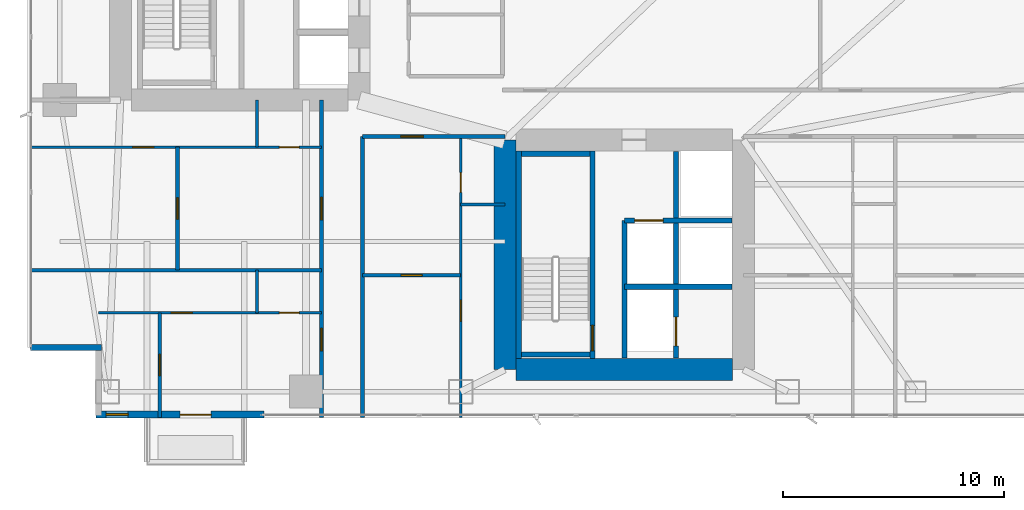
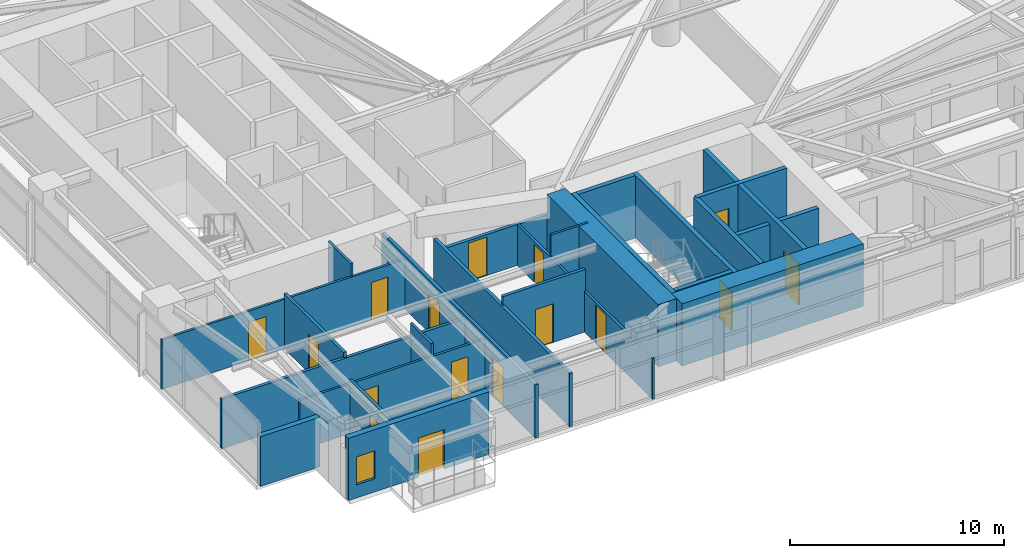
# One storey, part 22 of 30: 25 walls, 16 doors, 1 window, 17 openings.
"""IFC4 building model written with IfcOpenShell, lengths in metres."""

from ifc_helpers import new_model, si_unit, direction, frame, frame_2d, origin, place, context, subcontext, project, spatial, rectangle, extrude, material, layer, layer_set, type_object, element, fill, save


model = new_model("IFC4")

# Units and contexts
model_context = context("Model", 3, precision=1e-05, world=origin(), true_north=direction((0.0, 1.0)))
body_context = subcontext(model_context, "Body", "Model", "MODEL_VIEW")
ifc_project = project(units=[si_unit("LENGTHUNIT", "METRE"), si_unit("AREAUNIT", "SQUARE_METRE"), si_unit("VOLUMEUNIT", "CUBIC_METRE"), si_unit("PLANEANGLEUNIT", "RADIAN"), si_unit("MASSUNIT", "GRAM", prefix="KILO")], contexts=[model_context])

# Site, building, storey
site_placement = place(None, origin())
site = spatial("IfcSite", under=ifc_project, at=site_placement, CompositionType="ELEMENT")
building_placement = place(site_placement, origin())
building = spatial("IfcBuilding", under=site, at=building_placement, Name="Calvorn Quay Hotel", CompositionType="ELEMENT")
storey_placement = place(building_placement, frame((0.0, 0.0, 27.0)))
storey = spatial("IfcBuildingStorey", under=building, at=storey_placement, Name="L05", CompositionType="ELEMENT", Elevation=27.0)

# Walls
ifc_material_1 = material(Name="Concrete C60", Category="concrete")
ifc_layer_1 = layer(ifc_material_1, 1.0)
ifc_layer_set_1 = layer_set([ifc_layer_1], Name="WL-CORE-1000")
wall_type_1 = type_object("IfcWallType", Name="WL-CORE-1000", PredefinedType="SHEAR", material=ifc_layer_set_1)
wall_1_placement = place(storey_placement, frame((21.60009765625, 4.60009765625, 0.0), z_axis=(0.0, 0.0, 1.0), x_axis=(0.0, 1.0, 0.0)))
element("IfcWall", 1, at=wall_1_placement, inside=storey, type_object=wall_type_1, Name="East Core Shear Wall W (L05)", PredefinedType="SHEAR", context=body_context, shape_type="SweptSolid", body=[
    extrude(rectangle(XDim=10.39990234375, YDim=1.0, at=frame_2d((5.199951171875, 0.0))), origin(), (0.0, 0.0, 1.0), 3.56005859375),
])
wall_2_placement = place(storey_placement, frame((22.10009765625, 4.60009765625, 0.0), z_axis=(0.0, 0.0, 1.0), x_axis=(1.0, 0.0, 0.0)))
element("IfcWall", 2, at=wall_2_placement, inside=storey, type_object=wall_type_1, Name="East Core Shear Wall S (L05)", PredefinedType="SHEAR", context=body_context, shape_type="SweptSolid", body=[
    extrude(rectangle(XDim=9.7998046875, YDim=1.0, at=frame_2d((4.89990234375, 0.0))), origin(), (0.0, 0.0, 1.0), 3.56005859375),
])

# Wall, openings, doors
ifc_material_2 = material(Name="Acoustic Fireboard Steel-Stud Partition", Category="steel")
ifc_layer_2 = layer(ifc_material_2, 0.179931640625)
ifc_layer_set_2 = layer_set([ifc_layer_2], Name="WL-CORR-FIRE-180")
wall_type_2 = type_object("IfcWallType", Name="WL-CORR-FIRE-180", PredefinedType="PARTITIONING", material=ifc_layer_set_2)
wall_3_placement = place(storey_placement, frame((13.300048828125, 2.43994140625, 0.0), z_axis=(0.0, 0.0, 1.0), x_axis=(0.0, 1.0, 0.0)))
wall_3 = element("IfcWall", 3, at=wall_3_placement, inside=storey, type_object=wall_type_2, Name="Partition Wall L05-WL-CORR-SW-LEG-W", PredefinedType="PARTITIONING", context=body_context, shape_type="SweptSolid", body=[
    extrude(rectangle(XDim=14.360107421875, YDim=0.179931640625, at=frame_2d((7.18017578125, 0.0))), origin(), (0.0, 0.0, 1.0), 3.0400390625),
])
opening_1_placement = place(wall_3_placement, frame((3.010009765625, 0.0, 0.0)))
opening_1 = element("IfcOpeningElement", 4, at=opening_1_placement, cuts=wall_3, Name="Opening D-L05-U01", PredefinedType="OPENING", context=body_context, shape_type="SweptSolid", body=[
    extrude(rectangle(XDim=1.02001953125, YDim=2.199951171875, at=frame_2d((0.510009765625, 1.10009765625))), frame((0.0, 0.099853515625, 0.0), z_axis=(0.0, -1.0, 0.0), x_axis=(1.0, 0.0, 0.0)), (0.0, 0.0, 1.0), 0.199951171875),
])
opening_2_placement = place(wall_3_placement, frame((8.93994140625, 0.0, 0.0)))
opening_2 = element("IfcOpeningElement", 5, at=opening_2_placement, cuts=wall_3, Name="Opening D-L05-U02", PredefinedType="OPENING", context=body_context, shape_type="SweptSolid", body=[
    extrude(rectangle(XDim=1.02001953125, YDim=2.199951171875, at=frame_2d((0.510009765625, 1.10009765625))), frame((0.0, 0.099853515625, 0.0), z_axis=(0.0, -1.0, 0.0), x_axis=(1.0, 0.0, 0.0)), (0.0, 0.0, 1.0), 0.199951171875),
])
ifc_material_3 = material(Name="Solid-Core Walnut Veneer Hotel Fire Door")
door_type_1 = type_object("IfcDoorType", Name="DR-GUEST-ENTRY-1020", OperationType="NOTDEFINED", PredefinedType="DOOR", material=ifc_material_3)
door_1_placement = place(opening_1_placement, origin())
door_1 = element("IfcDoor", 6, at=door_1_placement, inside=storey, type_object=door_type_1, Name="South-West Unit Door U01 (L05)", OperationType="SINGLE_SWING_LEFT", OverallHeight=2.199951171875, OverallWidth=1.02001953125, PredefinedType="DOOR", context=body_context, shape_type="SweptSolid", body=[
    extrude(rectangle(XDim=1.02001953125, YDim=2.199951171875, at=frame_2d((0.510009765625, 1.10009765625))), frame((0.0, 0.02490234375, 0.0), z_axis=(0.0, -1.0, 0.0), x_axis=(1.0, 0.0, 0.0)), (0.0, 0.0, 1.0), 0.050048828125),
])
fill(opening_1, door_1)
door_2_placement = place(opening_2_placement, origin())
door_2 = element("IfcDoor", 7, at=door_2_placement, inside=storey, type_object=door_type_1, Name="South-West Unit Door U02 (L05)", OperationType="SINGLE_SWING_RIGHT", OverallHeight=2.199951171875, OverallWidth=1.02001953125, PredefinedType="DOOR", context=body_context, shape_type="SweptSolid", body=[
    extrude(rectangle(XDim=1.02001953125, YDim=2.199951171875, at=frame_2d((0.510009765625, 1.10009765625))), frame((0.0, 0.02490234375, 0.0), z_axis=(0.0, -1.0, 0.0), x_axis=(1.0, 0.0, 0.0)), (0.0, 0.0, 1.0), 0.050048828125),
])
fill(opening_2, door_2)

# Wall
wall_4_placement = place(storey_placement, frame((15.14990234375, 2.43994140625, 0.0), z_axis=(0.0, 0.0, 1.0), x_axis=(0.0, 1.0, 0.0)))
element("IfcWall", 8, at=wall_4_placement, inside=storey, type_object=wall_type_2, Name="Partition Wall L05-WL-CORR-SW-W", PredefinedType="PARTITIONING", context=body_context, shape_type="SweptSolid", body=[
    extrude(rectangle(XDim=12.7099609375, YDim=0.179931640625, at=frame_2d((6.35498046875, 0.0))), origin(), (0.0, 0.0, 1.0), 3.0400390625),
])

# Wall, opening, door
wall_5_placement = place(storey_placement, frame((15.14990234375, 15.14990234375, 0.0), z_axis=(0.0, 0.0, 1.0), x_axis=(1.0, 0.0, 0.0)))
wall_5 = element("IfcWall", 9, at=wall_5_placement, inside=storey, type_object=wall_type_2, Name="Partition Wall L05-WL-SC-CORR-S", PredefinedType="PARTITIONING", context=body_context, shape_type="SweptSolid", body=[
    extrude(rectangle(XDim=6.4501953125, YDim=0.179931640625, at=frame_2d((3.22509765625, 0.0))), origin(), (0.0, 0.0, 1.0), 2.340087890625),
])
opening_3_placement = place(wall_5_placement, frame((1.739990234375, 0.0, 0.0)))
opening_3 = element("IfcOpeningElement", 10, at=opening_3_placement, cuts=wall_5, Name="Opening D-L05-U03", PredefinedType="OPENING", context=body_context, shape_type="SweptSolid", body=[
    extrude(rectangle(XDim=1.02001953125, YDim=2.199951171875, at=frame_2d((0.510009765625, 1.10009765625))), frame((0.0, 0.099853515625, 0.0), z_axis=(0.0, -1.0, 0.0), x_axis=(1.0, 0.0, 0.0)), (0.0, 0.0, 1.0), 0.199951171875),
])
door_3_placement = place(opening_3_placement, origin())
door_3 = element("IfcDoor", 11, at=door_3_placement, inside=storey, type_object=door_type_1, Name="Harbour Central Unit Door (L05)", OperationType="SINGLE_SWING_LEFT", OverallHeight=2.199951171875, OverallWidth=1.02001953125, PredefinedType="DOOR", context=body_context, shape_type="SweptSolid", body=[
    extrude(rectangle(XDim=1.02001953125, YDim=2.199951171875, at=frame_2d((0.510009765625, 1.10009765625))), frame((0.0, 0.02490234375, 0.0), z_axis=(0.0, -1.0, 0.0), x_axis=(1.0, 0.0, 0.0)), (0.0, 0.0, 1.0), 0.050048828125),
])
fill(opening_3, door_3)

# Wall
ifc_material_4 = material(Name="Moisture-Resistant Tile-Backed Partition")
ifc_layer_3 = layer(ifc_material_4, 0.125)
ifc_layer_set_3 = layer_set([ifc_layer_3], Name="WL-ENSUITE-125")
wall_type_3 = type_object("IfcWallType", Name="WL-ENSUITE-125", PredefinedType="PARTITIONING", material=ifc_layer_set_3)
wall_6_placement = place(storey_placement, frame((10.3798828125, 7.169921875, 0.0), z_axis=(0.0, 0.0, 1.0), x_axis=(0.0, 1.0, 0.0)))
element("IfcWall", 12, at=wall_6_placement, inside=storey, type_object=wall_type_3, Name="Partition Wall L05-WL-U01-BDV", PredefinedType="PARTITIONING", context=body_context, shape_type="SweptSolid", body=[
    extrude(rectangle(XDim=1.93017578125, YDim=0.125, at=frame_2d((0.965087890625, 0.0))), origin(), (0.0, 0.0, 1.0), 3.56005859375),
])

# Wall, openings, doors
wall_7_placement = place(storey_placement, frame((3.199951171875, 7.169921875, 0.0), z_axis=(0.0, 0.0, 1.0), x_axis=(1.0, 0.0, 0.0)))
wall_7 = element("IfcWall", 13, at=wall_7_placement, inside=storey, type_object=wall_type_3, Name="Partition Wall L05-WL-U01-BH", PredefinedType="PARTITIONING", context=body_context, shape_type="SweptSolid", body=[
    extrude(rectangle(XDim=10.10009765625, YDim=0.125, at=frame_2d((5.050048828125, 0.0))), origin(), (0.0, 0.0, 1.0), 2.840087890625),
])
opening_4_placement = place(wall_7_placement, frame((3.2900390625, 0.0, 0.0)))
opening_4 = element("IfcOpeningElement", 14, at=opening_4_placement, cuts=wall_7, Name="Opening D-L05-S01", PredefinedType="OPENING", context=body_context, shape_type="SweptSolid", body=[
    extrude(rectangle(XDim=0.9599609375, YDim=2.199951171875, at=frame_2d((0.47998046875, 1.10009765625))), frame((0.0, 0.072509765625, 0.0), z_axis=(0.0, -1.0, 0.0), x_axis=(1.0, 0.0, 0.0)), (0.0, 0.0, 1.0), 0.14501953125),
])
opening_5_placement = place(wall_7_placement, frame((8.18994140625, 0.0, 0.0)))
opening_5 = element("IfcOpeningElement", 15, at=opening_5_placement, cuts=wall_7, Name="Opening D-L05-E01", PredefinedType="OPENING", context=body_context, shape_type="SweptSolid", body=[
    extrude(rectangle(XDim=0.89990234375, YDim=2.14990234375, at=frame_2d((0.449951171875, 1.074951171875))), frame((0.0, 0.072509765625, 0.0), z_axis=(0.0, -1.0, 0.0), x_axis=(1.0, 0.0, 0.0)), (0.0, 0.0, 1.0), 0.14501953125),
])
ifc_material_5 = material(Name="Moisture-Sealed Timber En-Suite Door", Category="wood")
door_type_2 = type_object("IfcDoorType", Name="DR-ENSUITE-900", OperationType="NOTDEFINED", PredefinedType="DOOR", material=ifc_material_5)
door_4_placement = place(opening_5_placement, origin())
door_4 = element("IfcDoor", 16, at=door_4_placement, inside=storey, type_object=door_type_2, Name="En-Suite Door 01", OperationType="SINGLE_SWING_RIGHT", OverallHeight=2.14990234375, OverallWidth=0.89990234375, PredefinedType="DOOR", context=body_context, shape_type="SweptSolid", body=[
    extrude(rectangle(XDim=0.89990234375, YDim=2.14990234375, at=frame_2d((0.449951171875, 1.074951171875))), frame((0.0, 0.02490234375, 0.0), z_axis=(0.0, -1.0, 0.0), x_axis=(1.0, 0.0, 0.0)), (0.0, 0.0, 1.0), 0.050048828125),
])
fill(opening_5, door_4)
ifc_material_6 = material(Name="Solid Timber Internal Suite Door", Category="wood")
door_type_3 = type_object("IfcDoorType", Name="DR-SUITE-INT-960", OperationType="NOTDEFINED", PredefinedType="DOOR", material=ifc_material_6)
door_5_placement = place(opening_4_placement, origin())
door_5 = element("IfcDoor", 17, at=door_5_placement, inside=storey, type_object=door_type_3, Name="Executive Study Door 01", OperationType="SINGLE_SWING_LEFT", OverallHeight=2.199951171875, OverallWidth=0.9599609375, PredefinedType="DOOR", context=body_context, shape_type="SweptSolid", body=[
    extrude(rectangle(XDim=0.9599609375, YDim=2.199951171875, at=frame_2d((0.47998046875, 1.10009765625))), frame((0.0, 0.02490234375, 0.0), z_axis=(0.0, -1.0, 0.0), x_axis=(1.0, 0.0, 0.0)), (0.0, 0.0, 1.0), 0.050048828125),
])
fill(opening_4, door_5)

# Wall
wall_8_placement = place(storey_placement, frame((10.3798828125, 14.669921875, 0.0), z_axis=(0.0, 0.0, 1.0), x_axis=(0.0, 1.0, 0.0)))
element("IfcWall", 18, at=wall_8_placement, inside=storey, type_object=wall_type_3, Name="Partition Wall L05-WL-U02-BDV", PredefinedType="PARTITIONING", context=body_context, shape_type="SweptSolid", body=[
    extrude(rectangle(XDim=2.130126953125, YDim=0.125, at=frame_2d((1.06494140625, 0.0))), origin(), (0.0, 0.0, 1.0), 3.56005859375),
])

# Wall, openings, doors
wall_9_placement = place(storey_placement, frame((0.080078125, 14.669921875, 0.0), z_axis=(0.0, 0.0, 1.0), x_axis=(1.0, 0.0, 0.0)))
wall_9 = element("IfcWall", 19, at=wall_9_placement, inside=storey, type_object=wall_type_3, Name="Partition Wall L05-WL-U02-BH", PredefinedType="PARTITIONING", context=body_context, shape_type="SweptSolid", body=[
    extrude(rectangle(XDim=13.219970703125, YDim=0.125, at=frame_2d((6.60986328125, 0.0))), origin(), (0.0, 0.0, 1.0), 2.840087890625),
])
opening_6_placement = place(wall_9_placement, frame((4.669921875, 0.0, 0.0)))
opening_6 = element("IfcOpeningElement", 20, at=opening_6_placement, cuts=wall_9, Name="Opening D-L05-S02", PredefinedType="OPENING", context=body_context, shape_type="SweptSolid", body=[
    extrude(rectangle(XDim=0.9599609375, YDim=2.199951171875, at=frame_2d((0.47998046875, 1.10009765625))), frame((0.0, 0.072509765625, 0.0), z_axis=(0.0, -1.0, 0.0), x_axis=(1.0, 0.0, 0.0)), (0.0, 0.0, 1.0), 0.14501953125),
])
opening_7_placement = place(wall_9_placement, frame((11.31005859375, 0.0, 0.0)))
opening_7 = element("IfcOpeningElement", 21, at=opening_7_placement, cuts=wall_9, Name="Opening D-L05-E02", PredefinedType="OPENING", context=body_context, shape_type="SweptSolid", body=[
    extrude(rectangle(XDim=0.89990234375, YDim=2.14990234375, at=frame_2d((0.449951171875, 1.074951171875))), frame((0.0, 0.072509765625, 0.0), z_axis=(0.0, -1.0, 0.0), x_axis=(1.0, 0.0, 0.0)), (0.0, 0.0, 1.0), 0.14501953125),
])
door_6_placement = place(opening_7_placement, origin())
door_6 = element("IfcDoor", 22, at=door_6_placement, inside=storey, type_object=door_type_2, Name="En-Suite Door 02", OperationType="SINGLE_SWING_RIGHT", OverallHeight=2.14990234375, OverallWidth=0.89990234375, PredefinedType="DOOR", context=body_context, shape_type="SweptSolid", body=[
    extrude(rectangle(XDim=0.89990234375, YDim=2.14990234375, at=frame_2d((0.449951171875, 1.074951171875))), frame((0.0, 0.02490234375, 0.0), z_axis=(0.0, -1.0, 0.0), x_axis=(1.0, 0.0, 0.0)), (0.0, 0.0, 1.0), 0.050048828125),
])
fill(opening_7, door_6)
door_7_placement = place(opening_6_placement, origin())
door_7 = element("IfcDoor", 23, at=door_7_placement, inside=storey, type_object=door_type_3, Name="Executive Study Door 02", OperationType="SINGLE_SWING_LEFT", OverallHeight=2.199951171875, OverallWidth=0.9599609375, PredefinedType="DOOR", context=body_context, shape_type="SweptSolid", body=[
    extrude(rectangle(XDim=0.9599609375, YDim=2.199951171875, at=frame_2d((0.47998046875, 1.10009765625))), frame((0.0, 0.02490234375, 0.0), z_axis=(0.0, -1.0, 0.0), x_axis=(1.0, 0.0, 0.0)), (0.0, 0.0, 1.0), 0.050048828125),
])
fill(opening_6, door_7)

# Wall
wall_10_placement = place(storey_placement, frame((19.60009765625, 12.070068359375, 0.0), z_axis=(0.0, 0.0, 1.0), x_axis=(1.0, 0.0, 0.0)))
element("IfcWall", 24, at=wall_10_placement, inside=storey, type_object=wall_type_3, Name="Partition Wall L05-WL-U03-BDV", PredefinedType="PARTITIONING", context=body_context, shape_type="SweptSolid", body=[
    extrude(rectangle(XDim=2.0, YDim=0.125, at=frame_2d((1.0, 0.0))), origin(), (0.0, 0.0, 1.0), 3.56005859375),
])

# Wall, openings, doors
wall_11_placement = place(storey_placement, frame((19.60009765625, 2.43994140625, 0.0), z_axis=(0.0, 0.0, 1.0), x_axis=(0.0, 1.0, 0.0)))
wall_11 = element("IfcWall", 25, at=wall_11_placement, inside=storey, type_object=wall_type_3, Name="Partition Wall L05-WL-U03-BV", PredefinedType="PARTITIONING", context=body_context, shape_type="SweptSolid", body=[
    extrude(rectangle(XDim=12.7099609375, YDim=0.125, at=frame_2d((6.35498046875, 0.0))), origin(), (0.0, 0.0, 1.0), 2.340087890625),
])
opening_8_placement = place(wall_11_placement, frame((4.340087890625, 0.0, 0.0)))
opening_8 = element("IfcOpeningElement", 26, at=opening_8_placement, cuts=wall_11, Name="Opening D-L05-S03", PredefinedType="OPENING", context=body_context, shape_type="SweptSolid", body=[
    extrude(rectangle(XDim=0.9599609375, YDim=2.199951171875, at=frame_2d((0.47998046875, 1.10009765625))), frame((0.0, 0.072509765625, 0.0), z_axis=(0.0, -1.0, 0.0), x_axis=(1.0, 0.0, 0.0)), (0.0, 0.0, 1.0), 0.14501953125),
])
opening_9_placement = place(wall_11_placement, frame((10.179931640625, 0.0, 0.0)))
opening_9 = element("IfcOpeningElement", 27, at=opening_9_placement, cuts=wall_11, Name="Opening D-L05-E03", PredefinedType="OPENING", context=body_context, shape_type="SweptSolid", body=[
    extrude(rectangle(XDim=0.89990234375, YDim=2.14990234375, at=frame_2d((0.449951171875, 1.074951171875))), frame((0.0, 0.072509765625, 0.0), z_axis=(0.0, -1.0, 0.0), x_axis=(1.0, 0.0, 0.0)), (0.0, 0.0, 1.0), 0.14501953125),
])
door_8_placement = place(opening_9_placement, origin())
door_8 = element("IfcDoor", 28, at=door_8_placement, inside=storey, type_object=door_type_2, Name="En-Suite Door 03", OperationType="SINGLE_SWING_RIGHT", OverallHeight=2.14990234375, OverallWidth=0.89990234375, PredefinedType="DOOR", context=body_context, shape_type="SweptSolid", body=[
    extrude(rectangle(XDim=0.89990234375, YDim=2.14990234375, at=frame_2d((0.449951171875, 1.074951171875))), frame((0.0, 0.02490234375, 0.0), z_axis=(0.0, -1.0, 0.0), x_axis=(1.0, 0.0, 0.0)), (0.0, 0.0, 1.0), 0.050048828125),
])
fill(opening_9, door_8)
door_9_placement = place(opening_8_placement, origin())
door_9 = element("IfcDoor", 29, at=door_9_placement, inside=storey, type_object=door_type_3, Name="Executive Study Door 03", OperationType="SINGLE_SWING_LEFT", OverallHeight=2.199951171875, OverallWidth=0.9599609375, PredefinedType="DOOR", context=body_context, shape_type="SweptSolid", body=[
    extrude(rectangle(XDim=0.9599609375, YDim=2.199951171875, at=frame_2d((0.47998046875, 1.10009765625))), frame((0.0, 0.02490234375, 0.0), z_axis=(0.0, -1.0, 0.0), x_axis=(1.0, 0.0, 0.0)), (0.0, 0.0, 1.0), 0.050048828125),
])
fill(opening_8, door_9)

# Wall, openings, door, window
ifc_material_7 = material(Name="Concrete C40", Category="concrete")
ifc_layer_4 = layer(ifc_material_7, 0.320068359375)
ifc_layer_set_4 = layer_set([ifc_layer_4], Name="WL-EXT-SPANDREL-320")
wall_type_4 = type_object("IfcWallType", Name="WL-EXT-SPANDREL-320", PredefinedType="SOLIDWALL", material=ifc_layer_set_4)
wall_12_placement = place(storey_placement, frame((3.10009765625, 2.56005859375, 0.0), z_axis=(0.0, 0.0, 1.0), x_axis=(1.0, 0.0, 0.0)))
wall_12 = element("IfcWall", 30, at=wall_12_placement, inside=storey, type_object=wall_type_4, Name="South Balcony Exterior Wall (L05)", PredefinedType="SOLIDWALL", context=body_context, shape_type="SweptSolid", body=[
    extrude(rectangle(XDim=7.599853515625, YDim=0.320068359375, at=frame_2d((3.7998046875, 0.0))), origin(), (0.0, 0.0, 1.0), 3.56005859375),
])
opening_10_placement = place(wall_12_placement, frame((0.449951171875, 0.0, 0.75)))
opening_10 = element("IfcOpeningElement", 31, at=opening_10_placement, cuts=wall_12, Name="Opening WSB-L05-1", PredefinedType="OPENING", context=body_context, shape_type="SweptSolid", body=[
    extrude(rectangle(XDim=1.0, YDim=1.60009765625, at=frame_2d((0.5, 0.800048828125))), frame((0.0, 0.169921875, 0.0), z_axis=(0.0, -1.0, 0.0), x_axis=(1.0, 0.0, 0.0)), (0.0, 0.0, 1.0), 0.340087890625),
])
opening_11_placement = place(wall_12_placement, frame((3.800048828125, 0.0, 0.0)))
opening_11 = element("IfcOpeningElement", 32, at=opening_11_placement, cuts=wall_12, Name="Opening DB-L05-1", PredefinedType="OPENING", context=body_context, shape_type="SweptSolid", body=[
    extrude(rectangle(XDim=1.39990234375, YDim=2.25, at=frame_2d((0.699951171875, 1.125))), frame((0.0, 0.169921875, 0.0), z_axis=(0.0, -1.0, 0.0), x_axis=(1.0, 0.0, 0.0)), (0.0, 0.0, 1.0), 0.340087890625),
])
ifc_material_8 = material(Name="Typhoon-Rated Low-E Aluminium Terrace Door", Category="aluminium")
door_type_4 = type_object("IfcDoorType", Name="DR-BALCONY-GLZ-1400", OperationType="NOTDEFINED", PredefinedType="DOOR", material=ifc_material_8)
door_10_placement = place(opening_11_placement, origin())
door_10 = element("IfcDoor", 33, at=door_10_placement, inside=storey, type_object=door_type_4, Name="Tree Balcony Terrace Door L05-BALC-S", OperationType="SINGLE_SWING_LEFT", OverallHeight=2.25, OverallWidth=1.39990234375, PredefinedType="DOOR", context=body_context, shape_type="SweptSolid", body=[
    extrude(rectangle(XDim=1.39990234375, YDim=2.25, at=frame_2d((0.699951171875, 1.125))), frame((0.0, 0.02490234375, 0.0), z_axis=(0.0, -1.0, 0.0), x_axis=(1.0, 0.0, 0.0)), (0.0, 0.0, 1.0), 0.050048828125),
])
fill(opening_11, door_10)
ifc_material_9 = material(Name="Self-Closing Class B Side Fire Window")
window_type = type_object("IfcWindowType", Name="WIN-REFUGE-NARROW-1000x1600", PartitioningType="SINGLE_PANEL", PredefinedType="WINDOW", material=ifc_material_9)
window_placement = place(opening_10_placement, origin())
window = element("IfcWindow", 34, at=window_placement, inside=storey, type_object=window_type, Name="South Waterfront Side Window (L05)", OverallHeight=1.60009765625, OverallWidth=1.0, PartitioningType="SINGLE_PANEL", PredefinedType="WINDOW", context=body_context, shape_type="SweptSolid", body=[
    extrude(rectangle(XDim=1.0, YDim=1.60009765625, at=frame_2d((0.5, 0.800048828125))), frame((0.0, 0.030029296875, 0.0), z_axis=(0.0, -1.0, 0.0), x_axis=(1.0, 0.0, 0.0)), (0.0, 0.0, 1.0), 0.06005859375),
])
fill(opening_10, window)

# Wall
wall_13_placement = place(storey_placement, frame((0.1201171875, 5.60009765625, 0.0), z_axis=(0.0, 0.0, 1.0), x_axis=(1.0, 0.0, 0.0)))
element("IfcWall", 35, at=wall_13_placement, inside=storey, type_object=wall_type_4, Name="Notched Corner Spandrel L05-SW1", PredefinedType="SOLIDWALL", context=body_context, shape_type="SweptSolid", body=[
    extrude(rectangle(XDim=3.219970703125, YDim=0.280029296875, at=frame_2d((1.60986328125, 0.0))), origin(), (0.0, 0.0, 1.0), 2.840087890625),
])

# Wall, opening, door
ifc_material_10 = material(Name="Double-Stud Acoustic Gypsum Partition")
ifc_layer_5 = layer(ifc_material_10, 0.159912109375)
ifc_layer_set_5 = layer_set([ifc_layer_5], Name="WL-INTERSUITE-160")
wall_type_5 = type_object("IfcWallType", Name="WL-INTERSUITE-160", PredefinedType="PARTITIONING", material=ifc_layer_set_5)
wall_14_placement = place(storey_placement, frame((5.97998046875, 2.43994140625, 0.0), z_axis=(0.0, 0.0, 1.0), x_axis=(0.0, 1.0, 0.0)))
wall_14 = element("IfcWall", 36, at=wall_14_placement, inside=storey, type_object=wall_type_5, Name="Partition Wall L05-WL-U01-MSP", PredefinedType="PARTITIONING", context=body_context, shape_type="SweptSolid", body=[
    extrude(rectangle(XDim=4.72998046875, YDim=0.159912109375, at=frame_2d((2.364990234375, 0.0))), origin(), (0.0, 0.0, 1.0), 3.0400390625),
])
opening_12_placement = place(wall_14_placement, frame((1.889892578125, 0.0, 0.0)))
opening_12 = element("IfcOpeningElement", 37, at=opening_12_placement, cuts=wall_14, Name="Opening D-L05-M01", PredefinedType="OPENING", context=body_context, shape_type="SweptSolid", body=[
    extrude(rectangle(XDim=0.9599609375, YDim=2.199951171875, at=frame_2d((0.47998046875, 1.10009765625))), frame((0.0, 0.08984375, 0.0), z_axis=(0.0, -1.0, 0.0), x_axis=(1.0, 0.0, 0.0)), (0.0, 0.0, 1.0), 0.179931640625),
])
door_11_placement = place(opening_12_placement, origin())
door_11 = element("IfcDoor", 38, at=door_11_placement, inside=storey, type_object=door_type_3, Name="Suite Bedroom Door 01", OperationType="SINGLE_SWING_LEFT", OverallHeight=2.199951171875, OverallWidth=0.9599609375, PredefinedType="DOOR", context=body_context, shape_type="SweptSolid", body=[
    extrude(rectangle(XDim=0.9599609375, YDim=2.199951171875, at=frame_2d((0.47998046875, 1.10009765625))), frame((0.0, 0.02490234375, 0.0), z_axis=(0.0, -1.0, 0.0), x_axis=(1.0, 0.0, 0.0)), (0.0, 0.0, 1.0), 0.050048828125),
])
fill(opening_12, door_11)

wall_15_placement = place(storey_placement, frame((6.780029296875, 9.10009765625, 0.0), z_axis=(0.0, 0.0, 1.0), x_axis=(0.0, 1.0, 0.0)))
wall_15 = element("IfcWall", 39, at=wall_15_placement, inside=storey, type_object=wall_type_5, Name="Partition Wall L05-WL-U02-MSP", PredefinedType="PARTITIONING", context=body_context, shape_type="SweptSolid", body=[
    extrude(rectangle(XDim=5.56982421875, YDim=0.159912109375, at=frame_2d((2.784912109375, 0.0))), origin(), (0.0, 0.0, 1.0), 3.139892578125),
])
opening_13_placement = place(wall_15_placement, frame((2.31005859375, 0.0, 0.0)))
opening_13 = element("IfcOpeningElement", 40, at=opening_13_placement, cuts=wall_15, Name="Opening D-L05-M02", PredefinedType="OPENING", context=body_context, shape_type="SweptSolid", body=[
    extrude(rectangle(XDim=0.9599609375, YDim=2.199951171875, at=frame_2d((0.47998046875, 1.10009765625))), frame((0.0, 0.08984375, 0.0), z_axis=(0.0, -1.0, 0.0), x_axis=(1.0, 0.0, 0.0)), (0.0, 0.0, 1.0), 0.179931640625),
])
door_12_placement = place(opening_13_placement, origin())
door_12 = element("IfcDoor", 41, at=door_12_placement, inside=storey, type_object=door_type_3, Name="Suite Bedroom Door 02", OperationType="SINGLE_SWING_LEFT", OverallHeight=2.199951171875, OverallWidth=0.9599609375, PredefinedType="DOOR", context=body_context, shape_type="SweptSolid", body=[
    extrude(rectangle(XDim=0.9599609375, YDim=2.199951171875, at=frame_2d((0.47998046875, 1.10009765625))), frame((0.0, 0.02490234375, 0.0), z_axis=(0.0, -1.0, 0.0), x_axis=(1.0, 0.0, 0.0)), (0.0, 0.0, 1.0), 0.050048828125),
])
fill(opening_13, door_12)

# Wall
wall_16_placement = place(storey_placement, frame((0.080078125, 9.10009765625, 0.0), z_axis=(0.0, 0.0, 1.0), x_axis=(1.0, 0.0, 0.0)))
element("IfcWall", 42, at=wall_16_placement, inside=storey, type_object=wall_type_5, Name="Partition Wall L05-WL-SW-DIV-1", PredefinedType="PARTITIONING", context=body_context, shape_type="SweptSolid", body=[
    extrude(rectangle(XDim=13.219970703125, YDim=0.159912109375, at=frame_2d((6.60986328125, 0.0))), origin(), (0.0, 0.0, 1.0), 2.840087890625),
])

# Wall, opening, door
wall_17_placement = place(storey_placement, frame((15.14990234375, 8.8701171875, 0.0), z_axis=(0.0, 0.0, 1.0), x_axis=(1.0, 0.0, 0.0)))
wall_17 = element("IfcWall", 43, at=wall_17_placement, inside=storey, type_object=wall_type_5, Name="Partition Wall L05-WL-U03-MSP", PredefinedType="PARTITIONING", context=body_context, shape_type="SweptSolid", body=[
    extrude(rectangle(XDim=4.4501953125, YDim=0.159912109375, at=frame_2d((2.22509765625, 0.0))), origin(), (0.0, 0.0, 1.0), 3.56005859375),
])
opening_14_placement = place(wall_17_placement, frame((1.75, 0.0, 0.0)))
opening_14 = element("IfcOpeningElement", 44, at=opening_14_placement, cuts=wall_17, Name="Opening D-L05-M03", PredefinedType="OPENING", context=body_context, shape_type="SweptSolid", body=[
    extrude(rectangle(XDim=0.9599609375, YDim=2.199951171875, at=frame_2d((0.47998046875, 1.10009765625))), frame((0.0, 0.08984375, 0.0), z_axis=(0.0, -1.0, 0.0), x_axis=(1.0, 0.0, 0.0)), (0.0, 0.0, 1.0), 0.179931640625),
])
door_13_placement = place(opening_14_placement, origin())
door_13 = element("IfcDoor", 45, at=door_13_placement, inside=storey, type_object=door_type_3, Name="Suite Bedroom Door 03", OperationType="SINGLE_SWING_LEFT", OverallHeight=2.199951171875, OverallWidth=0.9599609375, PredefinedType="DOOR", context=body_context, shape_type="SweptSolid", body=[
    extrude(rectangle(XDim=0.9599609375, YDim=2.199951171875, at=frame_2d((0.47998046875, 1.10009765625))), frame((0.0, 0.02490234375, 0.0), z_axis=(0.0, -1.0, 0.0), x_axis=(1.0, 0.0, 0.0)), (0.0, 0.0, 1.0), 0.050048828125),
])
fill(opening_14, door_13)

# Wall
ifc_material_11 = material(Name="Concrete C40", Category="concrete")
ifc_layer_6 = layer(ifc_material_11, 0.239990234375)
ifc_layer_set_6 = layer_set([ifc_layer_6], Name="WL-SHAFT-240")
wall_type_6 = type_object("IfcWallType", Name="WL-SHAFT-240", PredefinedType="SOLIDWALL", material=ifc_layer_set_6)
wall_18_placement = place(storey_placement, frame((22.22998046875, 5.10009765625, 0.0), z_axis=(0.0, 0.0, 1.0), x_axis=(0.0, 1.0, 0.0)))
element("IfcWall", 46, at=wall_18_placement, inside=storey, type_object=wall_type_6, Name="Stair STE Shaft Wall W (L05)", PredefinedType="SOLIDWALL", context=body_context, shape_type="SweptSolid", body=[
    extrude(rectangle(XDim=9.389892578125, YDim=0.239990234375, at=frame_2d((4.69482421875, 0.0))), origin(), (0.0, 0.0, 1.0), 3.56005859375),
])

# Wall, opening, door
wall_19_placement = place(storey_placement, frame((25.570068359375, 5.10009765625, 0.0), z_axis=(0.0, 0.0, 1.0), x_axis=(0.0, 1.0, 0.0)))
wall_19 = element("IfcWall", 47, at=wall_19_placement, inside=storey, type_object=wall_type_6, Name="Stair STE Shaft Wall E (L05)", PredefinedType="SOLIDWALL", context=body_context, shape_type="SweptSolid", body=[
    extrude(rectangle(XDim=9.389892578125, YDim=0.239990234375, at=frame_2d((4.69482421875, 0.0))), origin(), (0.0, 0.0, 1.0), 3.56005859375),
])
opening_15_placement = place(wall_19_placement, frame((0.35009765625, 0.0, 0.0)))
opening_15 = element("IfcOpeningElement", 48, at=opening_15_placement, cuts=wall_19, Name="Opening D-L05-STE", PredefinedType="OPENING", context=body_context, shape_type="SweptSolid", body=[
    extrude(rectangle(XDim=1.14990234375, YDim=2.199951171875, at=frame_2d((0.574951171875, 1.10009765625))), frame((0.0, 0.1298828125, 0.0), z_axis=(0.0, -1.0, 0.0), x_axis=(1.0, 0.0, 0.0)), (0.0, 0.0, 1.0), 0.260009765625),
])
ifc_material_12 = material(Name="Galvanised Steel Class A Fire Door", Category="steel")
door_type_5 = type_object("IfcDoorType", Name="DR-STAIR-SMOKE-1150", OperationType="NOTDEFINED", PredefinedType="DOOR", material=ifc_material_12)
door_14_placement = place(opening_15_placement, origin())
door_14 = element("IfcDoor", 49, at=door_14_placement, inside=storey, type_object=door_type_5, Name="Stair ST-E Fire Door (L05)", OperationType="SINGLE_SWING_RIGHT", OverallHeight=2.199951171875, OverallWidth=1.14990234375, PredefinedType="DOOR", context=body_context, shape_type="SweptSolid", body=[
    extrude(rectangle(XDim=1.14990234375, YDim=2.199951171875, at=frame_2d((0.574951171875, 1.10009765625))), frame((0.0, 0.02490234375, 0.0), z_axis=(0.0, -1.0, 0.0), x_axis=(1.0, 0.0, 0.0)), (0.0, 0.0, 1.0), 0.050048828125),
])
fill(opening_15, door_14)

# Walls
for number, where, z_axis, x_axis, name in (
    (50, (22.35009765625, 5.280029296875, 0.0), (0.0, 0.0, 1.0), (1.0, 0.0, 0.0), "Stair STE Shaft Wall S (L05)"),
    (51, (22.35009765625, 14.3701171875, 0.0), (0.0, 0.0, 1.0), (1.0, 0.0, 0.0), "Stair STE Shaft Wall N (L05)"),
):
    element("IfcWall", number, at=place(storey_placement, frame(where, z_axis=z_axis, x_axis=x_axis)), inside=storey, type_object=wall_type_6, Name=name, PredefinedType="SOLIDWALL", context=body_context, shape_type="SweptSolid", body=[
        extrude(rectangle(XDim=3.099853515625, YDim=0.239990234375, at=frame_2d((1.5498046875, 0.0))), origin(), (0.0, 0.0, 1.0), 3.56005859375),
    ])
wall_20_placement = place(storey_placement, frame((27.02001953125, 5.1201171875, 0.0), z_axis=(0.0, 0.0, 1.0), x_axis=(0.0, 1.0, 0.0)))
element("IfcWall", 52, at=wall_20_placement, inside=storey, type_object=wall_type_6, Name="Partition Wall L05-WL-CWE-SH-W", PredefinedType="SOLIDWALL", context=body_context, shape_type="SweptSolid", body=[
    extrude(rectangle(XDim=6.22998046875, YDim=0.239990234375, at=frame_2d((3.114990234375, 0.0))), origin(), (0.0, 0.0, 1.0), 3.56005859375),
])

# Wall, opening, door
wall_21_placement = place(storey_placement, frame((27.02001953125, 11.35009765625, 0.0), z_axis=(0.0, 0.0, 1.0), x_axis=(1.0, 0.0, 0.0)))
wall_21 = element("IfcWall", 53, at=wall_21_placement, inside=storey, type_object=wall_type_6, Name="Partition Wall L05-WL-CWE-FFL-S", PredefinedType="SOLIDWALL", context=body_context, shape_type="SweptSolid", body=[
    extrude(rectangle(XDim=4.85986328125, YDim=0.239990234375, at=frame_2d((2.429931640625, 0.0))), origin(), (0.0, 0.0, 1.0), 3.56005859375),
])
opening_16_placement = place(wall_21_placement, frame((0.449951171875, 0.0, 0.0)))
opening_16 = element("IfcOpeningElement", 54, at=opening_16_placement, cuts=wall_21, Name="Opening LD-L05-FLE1", PredefinedType="OPENING", context=body_context, shape_type="SweptSolid", body=[
    extrude(rectangle(XDim=1.300048828125, YDim=2.35009765625, at=frame_2d((0.64990234375, 1.175048828125))), frame((0.0, 0.1298828125, 0.0), z_axis=(0.0, -1.0, 0.0), x_axis=(1.0, 0.0, 0.0)), (0.0, 0.0, 1.0), 0.260009765625),
])
ifc_material_13 = material(Name="Champagne-Bronze Sliding Express Lift Landing Door")
door_type_6 = type_object("IfcDoorType", Name="DR-LIFT-SHUTTLE-1300", OperationType="NOTDEFINED", PredefinedType="DOOR", material=ifc_material_13)
door_15_placement = place(opening_16_placement, origin())
door_15 = element("IfcDoor", 55, at=door_15_placement, inside=storey, type_object=door_type_6, Name="Firefighting Lift FL-E1 Landing Door (L05)", OperationType="DOUBLE_DOOR_SLIDING", OverallHeight=2.35009765625, OverallWidth=1.300048828125, PredefinedType="DOOR", context=body_context, shape_type="SweptSolid", body=[
    extrude(rectangle(XDim=1.300048828125, YDim=2.35009765625, at=frame_2d((0.64990234375, 1.175048828125))), frame((0.0, 0.02490234375, 0.0), z_axis=(0.0, -1.0, 0.0), x_axis=(1.0, 0.0, 0.0)), (0.0, 0.0, 1.0), 0.050048828125),
])
fill(opening_16, door_15)

# Wall
wall_22_placement = place(storey_placement, frame((27.02001953125, 8.35009765625, 0.0), z_axis=(0.0, 0.0, 1.0), x_axis=(1.0, 0.0, 0.0)))
element("IfcWall", 56, at=wall_22_placement, inside=storey, type_object=wall_type_6, Name="Partition Wall L05-WL-CWE-SL-N", PredefinedType="SOLIDWALL", context=body_context, shape_type="SweptSolid", body=[
    extrude(rectangle(XDim=4.85986328125, YDim=0.239990234375, at=frame_2d((2.429931640625, 0.0))), origin(), (0.0, 0.0, 1.0), 3.090087890625),
])

# Wall, opening, door
wall_23_placement = place(storey_placement, frame((29.35009765625, 5.1201171875, 0.0), z_axis=(0.0, 0.0, 1.0), x_axis=(0.0, 1.0, 0.0)))
wall_23 = element("IfcWall", 57, at=wall_23_placement, inside=storey, type_object=wall_type_6, Name="Partition Wall L05-WL-CWE-OB-W", PredefinedType="SOLIDWALL", context=body_context, shape_type="SweptSolid", body=[
    extrude(rectangle(XDim=9.35986328125, YDim=0.239990234375, at=frame_2d((4.679931640625, 0.0))), origin(), (0.0, 0.0, 1.0), 3.56005859375),
])
opening_17_placement = place(wall_23_placement, frame((0.550048828125, 0.0, 0.0)))
opening_17 = element("IfcOpeningElement", 58, at=opening_17_placement, cuts=wall_23, Name="Opening LD-L05-SLEI", PredefinedType="OPENING", context=body_context, shape_type="SweptSolid", body=[
    extrude(rectangle(XDim=1.300048828125, YDim=2.35009765625, at=frame_2d((0.64990234375, 1.175048828125))), frame((0.0, 0.1298828125, 0.0), z_axis=(0.0, -1.0, 0.0), x_axis=(1.0, 0.0, 0.0)), (0.0, 0.0, 1.0), 0.260009765625),
])
door_16_placement = place(opening_17_placement, origin())
door_16 = element("IfcDoor", 59, at=door_16_placement, inside=storey, type_object=door_type_6, Name="Service Lift SL-E1 Landing Door (L05)", OperationType="DOUBLE_DOOR_SLIDING", OverallHeight=2.35009765625, OverallWidth=1.300048828125, PredefinedType="DOOR", context=body_context, shape_type="SweptSolid", body=[
    extrude(rectangle(XDim=1.300048828125, YDim=2.35009765625, at=frame_2d((0.64990234375, 1.175048828125))), frame((0.0, 0.02490234375, 0.0), z_axis=(0.0, -1.0, 0.0), x_axis=(1.0, 0.0, 0.0)), (0.0, 0.0, 1.0), 0.050048828125),
])
fill(opening_17, door_16)

save(model, "model.ifc")
